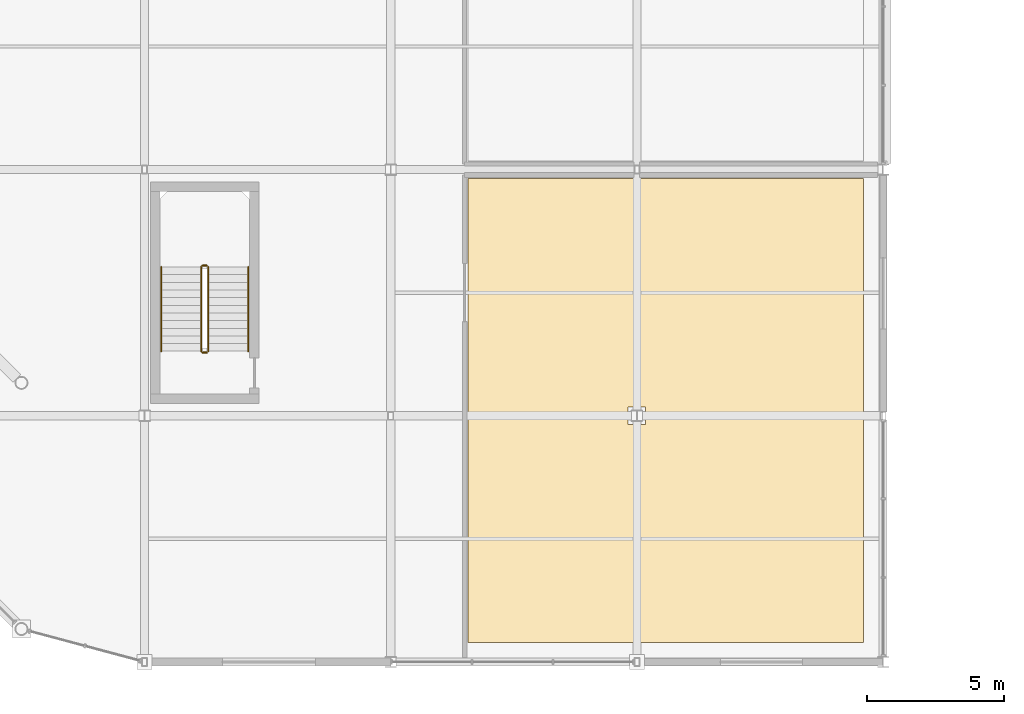
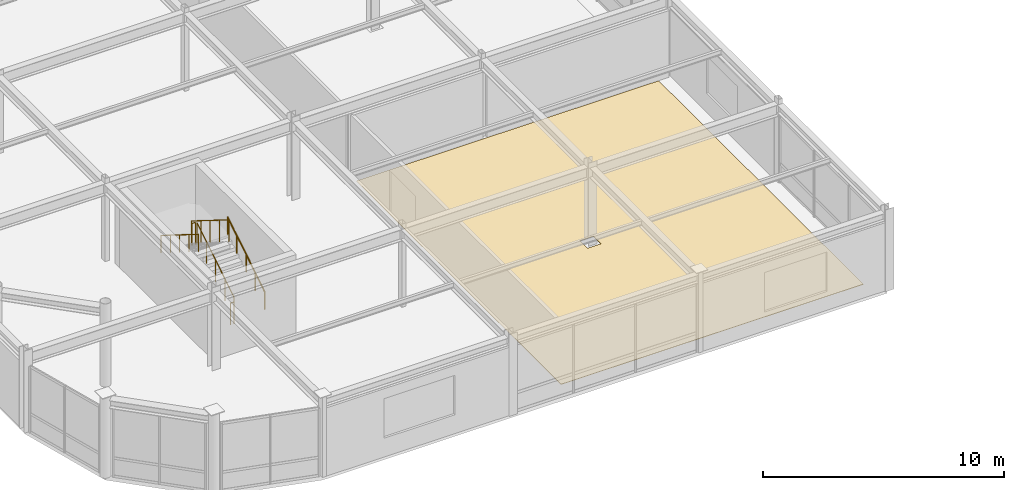
# One storey, part 89 of 105: 6 railings, 1 covering.
"""IFC4 building model written with IfcOpenShell, lengths in metres."""

from ifc_helpers import new_model, si_unit, direction, frame, origin, origin_2d, place, context, subcontext, project, spatial, polyline, circle, outline, extrude, material, layer, layer_set, type_object, element, save


model = new_model("IFC4")

# Units and contexts
model_context = context("Model", 3, precision=1e-05, world=origin(), true_north=direction((0.0, 1.0)))
body_context = subcontext(model_context, "Body", "Model", "MODEL_VIEW")
ifc_project = project(units=[si_unit("LENGTHUNIT", "METRE"), si_unit("AREAUNIT", "SQUARE_METRE"), si_unit("VOLUMEUNIT", "CUBIC_METRE"), si_unit("PLANEANGLEUNIT", "RADIAN"), si_unit("MASSUNIT", "GRAM", prefix="KILO")], contexts=[model_context])

# Site, building, storey
site_placement = place(None, origin())
site = spatial("IfcSite", under=ifc_project, at=site_placement, CompositionType="ELEMENT")
building_placement = place(site_placement, origin())
building = spatial("IfcBuilding", under=site, at=building_placement, Name="Suzunagisa Mobility Hub", CompositionType="ELEMENT")
storey_placement = place(building_placement, frame((0.0, 0.0, 5.10009765625)))
storey = spatial("IfcBuildingStorey", under=building, at=storey_placement, Name="L01", CompositionType="ELEMENT", Elevation=5.10009765625)

# Railings
ifc_material_1 = material(Name="Stainless Steel SUS304", Category="metal")
railing_type_1 = type_object("IfcRailingType", Name="Interior Well Guardrail IGR-01", PredefinedType="GUARDRAIL", material=ifc_material_1)
railing_1_placement = place(storey_placement, frame((11.330078125, 11.360107421875, 0.1748046875)))
element("IfcRailing", 1, at=railing_1_placement, inside=storey, type_object=railing_type_1, Name="L01 ST-02 stair guard 1", PredefinedType="GUARDRAIL", context=body_context, shape_type="SweptSolid", body=[
    extrude(circle(Radius=0.02392578125, at=origin_2d()), frame((0.0, 0.0, 1.09619140625), z_axis=(0.0, 0.847979421464, 0.530029150871), x_axis=(-1.0, 0.0, 0.0)), (0.0, 0.0, 1.0), 3.632080078125),
    extrude(circle(Radius=0.02099609375, at=origin_2d()), origin(), (0.0, 0.0, 1.0), 1.072021484375),
    extrude(circle(Radius=0.02099609375, at=origin_2d()), frame((0.0, 0.77001953125, 0.481201171875)), (0.0, 0.0, 1.0), 1.072021484375),
    extrude(circle(Radius=0.02099609375, at=origin_2d()), frame((0.0, 1.5400390625, 0.96240234375)), (0.0, 0.0, 1.0), 1.072021484375),
    extrude(circle(Radius=0.02099609375, at=origin_2d()), frame((0.0, 2.309814453125, 1.44384765625)), (0.0, 0.0, 1.0), 1.072021484375),
    extrude(circle(Radius=0.02099609375, at=origin_2d()), frame((0.0, 3.079833984375, 1.925048828125)), (0.0, 0.0, 1.0), 1.072021484375),
])
railing_2_placement = place(storey_placement, frame((11.280029296875, 14.489990234375, 2.099853515625)))
element("IfcRailing", 2, at=railing_2_placement, inside=storey, type_object=railing_type_1, Name="L01 ST-02 stair guard 2", PredefinedType="GUARDRAIL", context=body_context, shape_type="SweptSolid", body=[
    extrude(circle(Radius=0.02392578125, at=origin_2d()), frame((0.0, 0.0, 1.09619140625), z_axis=(-1.0, 0.0, 0.0), x_axis=(0.0, -1.0, 0.0)), (0.0, 0.0, 1.0), 0.159912109375),
    extrude(circle(Radius=0.02099609375, at=origin_2d()), origin(), (0.0, 0.0, 1.0), 1.072021484375),
    extrude(circle(Radius=0.02099609375, at=origin_2d()), frame((-0.159912109375, 0.0, 0.0)), (0.0, 0.0, 1.0), 1.072021484375),
])
railing_3_placement = place(storey_placement, frame((11.070068359375, 14.43994140625, 2.27490234375)))
element("IfcRailing", 3, at=railing_3_placement, inside=storey, type_object=railing_type_1, Name="L01 ST-02 stair guard 3", PredefinedType="GUARDRAIL", context=body_context, shape_type="SweptSolid", body=[
    extrude(circle(Radius=0.02392578125, at=origin_2d()), frame((0.0, 0.0, 1.09619140625), z_axis=(0.0, -0.847979421464, 0.530029150871), x_axis=(1.0, 0.0, 0.0)), (0.0, 0.0, 1.0), 3.632080078125),
    extrude(circle(Radius=0.02099609375, at=origin_2d()), origin(), (0.0, 0.0, 1.0), 1.072021484375),
    extrude(circle(Radius=0.02099609375, at=origin_2d()), frame((0.0, -0.77001953125, 0.481201171875)), (0.0, 0.0, 1.0), 1.072021484375),
    extrude(circle(Radius=0.02099609375, at=origin_2d()), frame((0.0, -1.5400390625, 0.96240234375)), (0.0, 0.0, 1.0), 1.072021484375),
    extrude(circle(Radius=0.02099609375, at=origin_2d()), frame((0.0, -2.309814453125, 1.44384765625)), (0.0, 0.0, 1.0), 1.072021484375),
    extrude(circle(Radius=0.02099609375, at=origin_2d()), frame((0.0, -3.079833984375, 1.925048828125)), (0.0, 0.0, 1.0), 1.072021484375),
])
railing_4_placement = place(storey_placement, frame((11.280029296875, 11.31005859375, 0.0)))
element("IfcRailing", 4, at=railing_4_placement, inside=storey, type_object=railing_type_1, Name="L01 ST-02 stair guard 4", PredefinedType="GUARDRAIL", context=body_context, shape_type="SweptSolid", body=[
    extrude(circle(Radius=0.02392578125, at=origin_2d()), frame((0.0, 0.0, 1.09619140625), z_axis=(-1.0, 0.0, 0.0), x_axis=(0.0, -1.0, 0.0)), (0.0, 0.0, 1.0), 0.159912109375),
    extrude(circle(Radius=0.02099609375, at=origin_2d()), origin(), (0.0, 0.0, 1.0), 1.072021484375),
    extrude(circle(Radius=0.02099609375, at=origin_2d()), frame((-0.159912109375, 0.0, 0.0)), (0.0, 0.0, 1.0), 1.072021484375),
])

# Covering
ifc_material_2 = material(Name="Polished Aggregate Terrazzo Finish")
ifc_layer = layer(ifc_material_2, 0.02001953125)
ifc_layer_set = layer_set([ifc_layer], Name="Polished Aggregate Terrazzo Finish")
covering_type = type_object("IfcCoveringType", Name="Polished Terrazzo Heavy-Traffic Flooring FLR-01", PredefinedType="FLOORING", material=ifc_layer_set)
covering_placement = place(storey_placement, origin())
element("IfcCovering", 5, at=covering_placement, inside=storey, type_object=covering_type, Name="L01 South Prow E-Bike Charging and Locker Gallery Terrazzo Flooring", PredefinedType="FLOORING", context=body_context, shape_type="SweptSolid", body=[
    extrude(outline(polyline([(20.820068359375, 17.679931640625), (35.280029296875, 17.679931640625), (35.280029296875, 0.719970703125), (20.820068359375, 0.719970703125), (20.820068359375, 17.679931640625)]), holes=[polyline([(27.320068359375, 9.320068359375), (26.679931640625, 9.320068359375), (26.679931640625, 8.679931640625), (27.320068359375, 8.679931640625), (27.320068359375, 9.320068359375)])]), origin(), (0.0, 0.0, 1.0), 0.02001953125),
])

# Railings
railing_type_2 = type_object("IfcRailingType", Name="Tubular Stainless Stair Handrail IHR-01", PredefinedType="HANDRAIL", material=ifc_material_1)
railing_5_placement = place(storey_placement, frame((12.7900390625, 11.360107421875, 0.1748046875)))
element("IfcRailing", 6, at=railing_5_placement, inside=storey, type_object=railing_type_2, Name="L01 ST-02 stair handrail 1", PredefinedType="HANDRAIL", context=body_context, shape_type="SweptSolid", body=[
    extrude(circle(Radius=0.02392578125, at=origin_2d()), frame((0.0, 0.0, 0.8759765625), z_axis=(0.0, 0.847979421464, 0.530029150871), x_axis=(-1.0, 0.0, 0.0)), (0.0, 0.0, 1.0), 3.632080078125),
    extrude(circle(Radius=0.02099609375, at=origin_2d()), origin(), (0.0, 0.0, 1.0), 0.851806640625),
    extrude(circle(Radius=0.02099609375, at=origin_2d()), frame((0.0, 0.77001953125, 0.481201171875)), (0.0, 0.0, 1.0), 0.851806640625),
    extrude(circle(Radius=0.02099609375, at=origin_2d()), frame((0.0, 1.5400390625, 0.96240234375)), (0.0, 0.0, 1.0), 0.851806640625),
    extrude(circle(Radius=0.02099609375, at=origin_2d()), frame((0.0, 2.309814453125, 1.44384765625)), (0.0, 0.0, 1.0), 0.851806640625),
    extrude(circle(Radius=0.02099609375, at=origin_2d()), frame((0.0, 3.079833984375, 1.925048828125)), (0.0, 0.0, 1.0), 0.851806640625),
])
railing_6_placement = place(storey_placement, frame((9.610107421875, 14.43994140625, 2.27490234375)))
element("IfcRailing", 7, at=railing_6_placement, inside=storey, type_object=railing_type_2, Name="L01 ST-02 stair handrail 2", PredefinedType="HANDRAIL", context=body_context, shape_type="SweptSolid", body=[
    extrude(circle(Radius=0.02392578125, at=origin_2d()), frame((0.0, 0.0, 0.8759765625), z_axis=(0.0, -0.847979421464, 0.530029150871), x_axis=(1.0, 0.0, 0.0)), (0.0, 0.0, 1.0), 3.632080078125),
    extrude(circle(Radius=0.02099609375, at=origin_2d()), origin(), (0.0, 0.0, 1.0), 0.851806640625),
    extrude(circle(Radius=0.02099609375, at=origin_2d()), frame((0.0, -0.77001953125, 0.481201171875)), (0.0, 0.0, 1.0), 0.851806640625),
    extrude(circle(Radius=0.02099609375, at=origin_2d()), frame((0.0, -1.5400390625, 0.96240234375)), (0.0, 0.0, 1.0), 0.851806640625),
    extrude(circle(Radius=0.02099609375, at=origin_2d()), frame((0.0, -2.309814453125, 1.44384765625)), (0.0, 0.0, 1.0), 0.851806640625),
    extrude(circle(Radius=0.02099609375, at=origin_2d()), frame((0.0, -3.079833984375, 1.925048828125)), (0.0, 0.0, 1.0), 0.851806640625),
])

save(model, "model.ifc")
